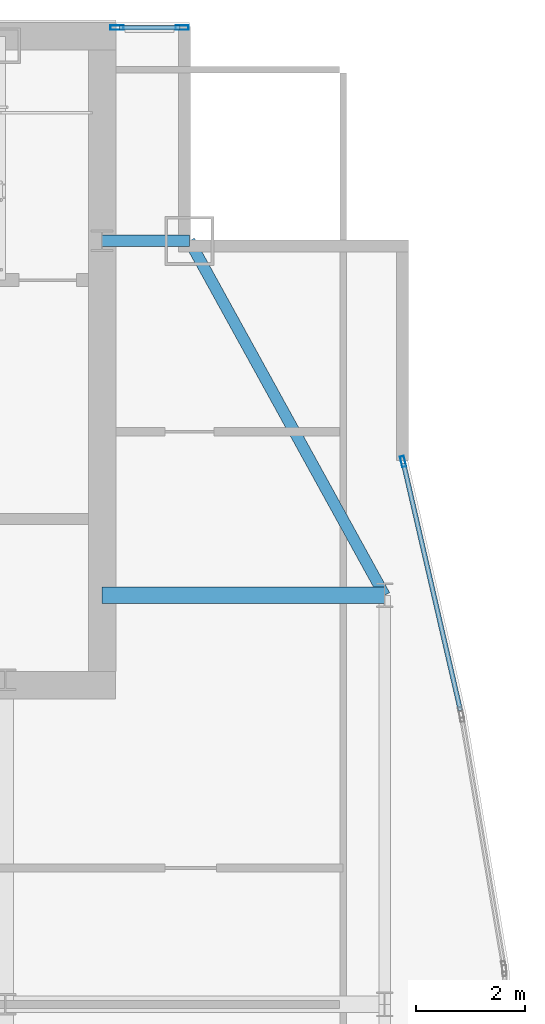
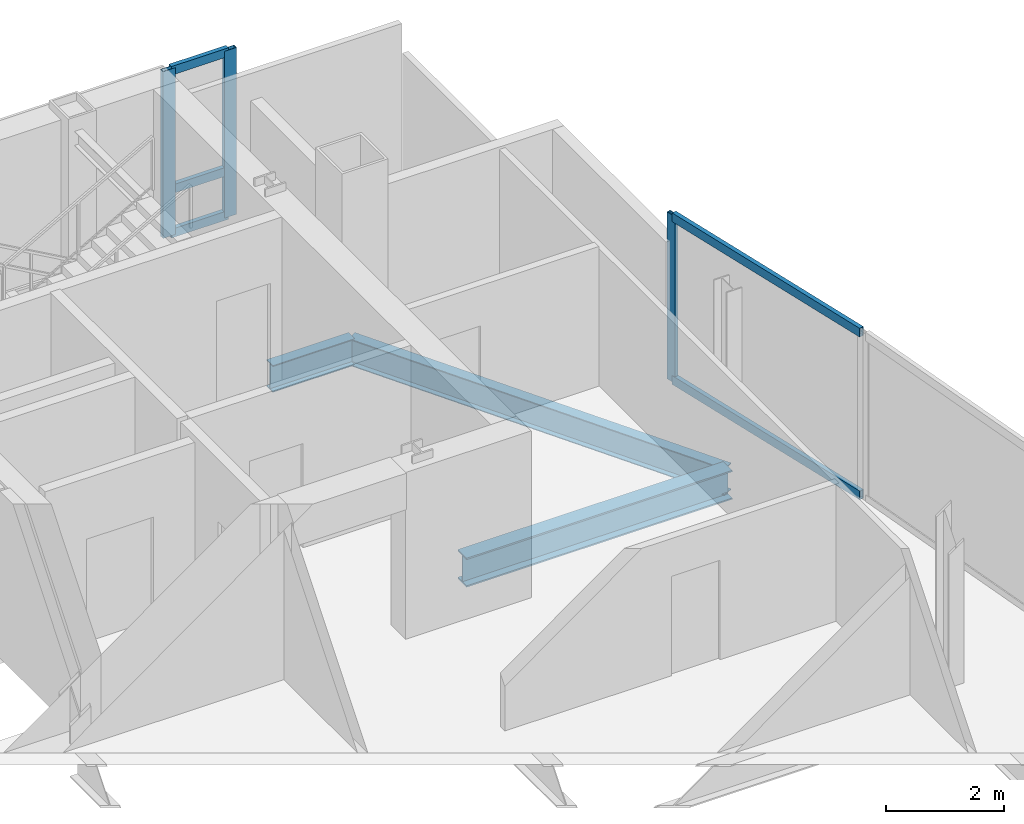
# One storey, part 22 of 29: 8 members, 3 beams, 2 elements without a shape of their own.
"""IFC4 building model written with IfcOpenShell, lengths in metres."""

from ifc_helpers import new_model, si_unit, direction, frame, origin, origin_2d, place, context, subcontext, project, spatial, hollow_rectangle, i_section, extrude, material, material_profile, profile_set, type_object, element, aggregate, save


model = new_model("IFC4")

# Units and contexts
model_context = context("Model", 3, precision=1e-05, world=origin(), true_north=direction((0.0, 1.0)))
body_context = subcontext(model_context, "Body", "Model", "MODEL_VIEW")
ifc_project = project(units=[si_unit("LENGTHUNIT", "METRE"), si_unit("AREAUNIT", "SQUARE_METRE"), si_unit("VOLUMEUNIT", "CUBIC_METRE"), si_unit("PLANEANGLEUNIT", "RADIAN"), si_unit("MASSUNIT", "GRAM", prefix="KILO")], contexts=[model_context])

# Site, building, storey
site_placement = place(None, origin())
site = spatial("IfcSite", under=ifc_project, at=site_placement, CompositionType="ELEMENT")
building_placement = place(site_placement, origin())
building = spatial("IfcBuilding", under=site, at=building_placement, Name="Khoronbel Lancet Exchange", CompositionType="ELEMENT")
storey_placement = place(building_placement, frame((0.0, 0.0, 321.800048828125)))
storey = spatial("IfcBuildingStorey", under=building, at=storey_placement, Name="L83", CompositionType="ELEMENT", Elevation=321.800048828125)

# Beams
ifc_material_1 = material(Name="Steel S355", Category="steel")
ifc_material_profile_1 = material_profile(ifc_material_1, i_section(OverallWidth=0.300048828125, OverallDepth=0.60009765625, WebThickness=0.015380859375, FlangeThickness=0.030029296875, at=origin_2d()), Name="HEB 600")
ifc_profile_set_1 = profile_set([ifc_material_profile_1], Name="Steel S355")
beam_type_1 = type_object("IfcBeamType", Name="BM-BG5", PredefinedType="BEAM", material=ifc_profile_set_1)
beam_1_placement = place(storey_placement, frame((56.449951171875, 43.199951171875, -0.4599609375), z_axis=(1.0, 0.0, 0.0), x_axis=(0.0, 1.0, 0.0)))
element("IfcBeam", 1, at=beam_1_placement, inside=storey, type_object=beam_type_1, Name="Level L83 east lens tie girder LG3E", PredefinedType="BEAM", context=body_context, shape_type="SweptSolid", body=[
    extrude(i_section(OverallWidth=0.300048828125, OverallDepth=0.60009765625, WebThickness=0.015380859375, FlangeThickness=0.030029296875, at=origin_2d()), origin(), (0.0, 0.0, 1.0), 5.179931640625),
])
ifc_material_profile_2 = material_profile(ifc_material_1, i_section(OverallWidth=0.2099609375, OverallDepth=0.550048828125, WebThickness=0.010986328125, FlangeThickness=0.01708984375, at=origin_2d()), Name="IPE 550")
ifc_profile_set_2 = profile_set([ifc_material_profile_2], Name="Steel S355")
beam_type_2 = type_object("IfcBeamType", Name="BM-BSP3", PredefinedType="SPANDREL", material=ifc_profile_set_2)
beam_2_placement = place(storey_placement, frame((61.6298828125, 43.199951171875, -0.43505859375), z_axis=(-0.482418808117, 0.875940690672, 0.0), x_axis=(-0.875940690672, -0.482418808117, 0.0)))
element("IfcBeam", 2, at=beam_2_placement, inside=storey, type_object=beam_type_2, Name="Level L83 perimeter spandrel beam SP13", PredefinedType="SPANDREL", context=body_context, shape_type="SweptSolid", body=[
    extrude(i_section(OverallWidth=0.2099609375, OverallDepth=0.550048828125, WebThickness=0.010986328125, FlangeThickness=0.01708984375, at=origin_2d()), origin(), (0.0, 0.0, 1.0), 7.420654296875),
])
beam_3_placement = place(storey_placement, frame((58.050048828125, 49.699951171875, -0.43505859375), z_axis=(-1.0, 0.0, 0.0), x_axis=(0.0, -1.0, 0.0)))
element("IfcBeam", 3, at=beam_3_placement, inside=storey, type_object=beam_type_2, Name="Level L83 north flank tie spandrel SP21", PredefinedType="SPANDREL", context=body_context, shape_type="SweptSolid", body=[
    extrude(i_section(OverallWidth=0.2099609375, OverallDepth=0.550048828125, WebThickness=0.010986328125, FlangeThickness=0.01708984375, at=origin_2d()), origin(), (0.0, 0.0, 1.0), 1.60009765625),
])

# Curtain wall, members
ifc_material_2 = material(Name="Low-E Solar Control Insulating Glass", Category="glass")
curtain_wall_type_1 = type_object("IfcCurtainWallType", Name="CW-3", PredefinedType="NOTDEFINED", material=ifc_material_2)
curtain_wall_1_placement = place(storey_placement, origin())
curtain_wall_1 = element("IfcCurtainWall", 4, at=curtain_wall_1_placement, inside=storey, type_object=curtain_wall_type_1, Name="Unitised curtain wall CW-L83-NEFLK", PredefinedType="NOTDEFINED")
ifc_material_3 = material(Name="Bronze-Anodised Aluminium 6063-T6", Category="aluminium")
ifc_material_profile_3 = material_profile(ifc_material_3, hollow_rectangle(XDim=0.0849609375, YDim=0.239990234375, WallThickness=0.006103515625, at=origin_2d()), Name="ALU MULLION 85x240")
ifc_profile_set_3 = profile_set([ifc_material_profile_3], Name="Bronze-Anodised Aluminium 6063-T6")
member_type_1 = type_object("IfcMemberType", Name="MEM-CWM1", PredefinedType="MULLION", material=ifc_profile_set_3)
member_1_placement = place(storey_placement, frame((57.91748046875, 53.610107421875, 0.0), z_axis=(0.0, 0.0, 1.0), x_axis=(0.0, -1.0, 0.0)))
member_1 = element("IfcMember", 5, at=member_1_placement, type_object=member_type_1, Name="CW3 mullion 1", PredefinedType="MULLION", context=body_context, shape_type="SweptSolid", body=[
    extrude(hollow_rectangle(XDim=0.0849609375, YDim=0.239990234375, WallThickness=0.006103515625, at=origin_2d()), origin(), (0.0, 0.0, 1.0), 3.43994140625),
])
member_2_placement = place(storey_placement, frame((56.722412109375, 53.610107421875, 0.0), z_axis=(0.0, 0.0, 1.0), x_axis=(0.0, -1.0, 0.0)))
member_2 = element("IfcMember", 6, at=member_2_placement, type_object=member_type_1, Name="CW3 mullion 2", PredefinedType="MULLION", context=body_context, shape_type="SweptSolid", body=[
    extrude(hollow_rectangle(XDim=0.0849609375, YDim=0.239990234375, WallThickness=0.006103515625, at=origin_2d()), origin(), (0.0, 0.0, 1.0), 3.43994140625),
])

# Curtain wall, member
curtain_wall_type_2 = type_object("IfcCurtainWallType", Name="CW-4", PredefinedType="NOTDEFINED", material=ifc_material_2)
curtain_wall_2_placement = place(storey_placement, origin())
curtain_wall_2 = element("IfcCurtainWall", 7, at=curtain_wall_2_placement, inside=storey, type_object=curtain_wall_type_2, Name="Unitised curtain wall CW-L83-E17", PredefinedType="NOTDEFINED")
ifc_material_profile_4 = material_profile(ifc_material_3, hollow_rectangle(XDim=0.074951171875, YDim=0.199951171875, WallThickness=0.0048828125, at=origin_2d()), Name="ALU MULLION 75x200")
ifc_profile_set_4 = profile_set([ifc_material_profile_4], Name="Bronze-Anodised Aluminium 6063-T6")
member_type_2 = type_object("IfcMemberType", Name="MEM-CWM2", PredefinedType="MULLION", material=ifc_profile_set_4)
member_3_placement = place(storey_placement, frame((61.968505859375, 45.6533203125, 0.0), z_axis=(0.0, 0.0, 1.0), x_axis=(0.974479667701, 0.224475783189, 0.0)))
member_3 = element("IfcMember", 8, at=member_3_placement, type_object=member_type_2, Name="CW4 mullion 1", PredefinedType="MULLION", context=body_context, shape_type="SweptSolid", body=[
    extrude(hollow_rectangle(XDim=0.074951171875, YDim=0.199951171875, WallThickness=0.0048828125, at=origin_2d()), origin(), (0.0, 0.0, 1.0), 3.43994140625),
])

# Member
ifc_material_profile_5 = material_profile(ifc_material_3, hollow_rectangle(XDim=0.0849609375, YDim=0.179931640625, WallThickness=0.0048828125, at=origin_2d()), Name="ALU TRANSOM 85x180")
ifc_profile_set_5 = profile_set([ifc_material_profile_5], Name="Bronze-Anodised Aluminium 6063-T6")
member_type_3 = type_object("IfcMemberType", Name="MEM-CWT1", PredefinedType="USERDEFINED", material=ifc_profile_set_5)
member_4_placement = place(storey_placement, frame((57.875, 53.610107421875, 0.04248046875), z_axis=(-1.0, 0.0, 0.0), x_axis=(0.0, -1.0, 0.0)))
member_4 = element("IfcMember", 9, at=member_4_placement, type_object=member_type_3, Name="CW3 transom 1.1", ObjectType="TRANSOM", PredefinedType="USERDEFINED", context=body_context, shape_type="SweptSolid", body=[
    extrude(hollow_rectangle(XDim=0.0849609375, YDim=0.179931640625, WallThickness=0.0048828125, at=origin_2d()), origin(), (0.0, 0.0, 1.0), 1.110107421875),
])

member_5_placement = place(storey_placement, frame((57.875, 53.610107421875, 0.949951171875), z_axis=(-1.0, 0.0, 0.0), x_axis=(0.0, -1.0, 0.0)))
member_5 = element("IfcMember", 10, at=member_5_placement, type_object=member_type_3, Name="CW3 transom 1.2", ObjectType="TRANSOM", PredefinedType="USERDEFINED", context=body_context, shape_type="SweptSolid", body=[
    extrude(hollow_rectangle(XDim=0.0849609375, YDim=0.179931640625, WallThickness=0.0048828125, at=origin_2d()), origin(), (0.0, 0.0, 1.0), 1.110107421875),
])

member_6_placement = place(storey_placement, frame((57.875, 53.610107421875, 3.3974609375), z_axis=(-1.0, 0.0, 0.0), x_axis=(0.0, -1.0, 0.0)))
member_6 = element("IfcMember", 11, at=member_6_placement, type_object=member_type_3, Name="CW3 transom 1.3", ObjectType="TRANSOM", PredefinedType="USERDEFINED", context=body_context, shape_type="SweptSolid", body=[
    extrude(hollow_rectangle(XDim=0.0849609375, YDim=0.179931640625, WallThickness=0.0048828125, at=origin_2d()), origin(), (0.0, 0.0, 1.0), 1.110107421875),
])

aggregate(curtain_wall_1, [member_1, member_2, member_4, member_5, member_6])

member_7_placement = place(storey_placement, frame((61.976806640625, 45.61669921875, 0.04248046875), z_axis=(0.224468065106, -0.974481445564, 0.0), x_axis=(0.974481445564, 0.224468065106, 0.0)))
member_7 = element("IfcMember", 12, at=member_7_placement, type_object=member_type_3, Name="CW4 transom 1.1", ObjectType="TRANSOM", PredefinedType="USERDEFINED", context=body_context, shape_type="SweptSolid", body=[
    extrude(hollow_rectangle(XDim=0.0849609375, YDim=0.179931640625, WallThickness=0.0048828125, at=origin_2d()), origin(), (0.0, 0.0, 1.0), 4.646484375),
])

member_8_placement = place(storey_placement, frame((61.976806640625, 45.61669921875, 3.3974609375), z_axis=(0.224468065106, -0.974481445564, 0.0), x_axis=(0.974481445564, 0.224468065106, 0.0)))
member_8 = element("IfcMember", 13, at=member_8_placement, type_object=member_type_3, Name="CW4 transom 1.2", ObjectType="TRANSOM", PredefinedType="USERDEFINED", context=body_context, shape_type="SweptSolid", body=[
    extrude(hollow_rectangle(XDim=0.0849609375, YDim=0.179931640625, WallThickness=0.0048828125, at=origin_2d()), origin(), (0.0, 0.0, 1.0), 4.646484375),
])

aggregate(curtain_wall_2, [member_3, member_7, member_8])

save(model, "model.ifc")
